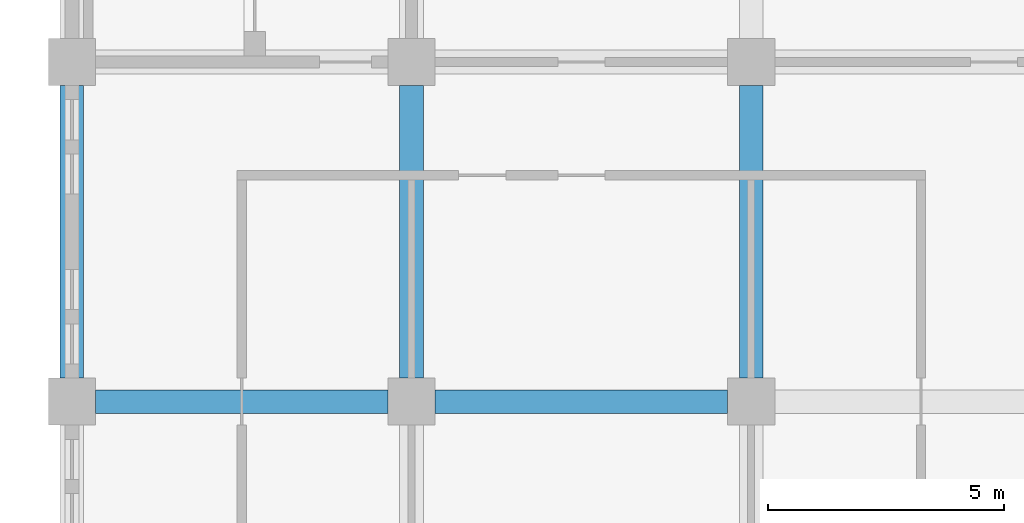
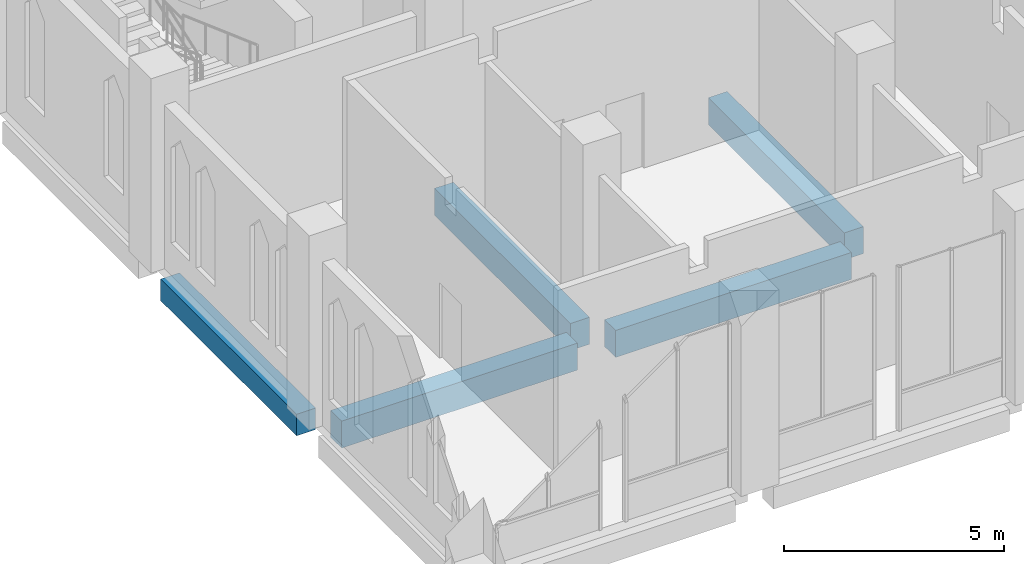
# One storey, part 21 of 83: 5 beams.
"""IFC4 building model written with IfcOpenShell, lengths in metres."""

from ifc_helpers import new_model, si_unit, direction, frame, origin, origin_2d, place, context, subcontext, project, spatial, rectangle, extrude, material, material_profile, profile_set, type_object, element, save


model = new_model("IFC4")

# Units and contexts
model_context = context("Model", 3, precision=1e-05, world=origin(), true_north=direction((0.0, 1.0)))
body_context = subcontext(model_context, "Body", "Model", "MODEL_VIEW")
ifc_project = project(units=[si_unit("LENGTHUNIT", "METRE"), si_unit("AREAUNIT", "SQUARE_METRE"), si_unit("VOLUMEUNIT", "CUBIC_METRE"), si_unit("PLANEANGLEUNIT", "RADIAN"), si_unit("MASSUNIT", "GRAM", prefix="KILO")], contexts=[model_context])

# Site, building, storey
site_placement = place(None, origin())
site = spatial("IfcSite", under=ifc_project, at=site_placement, CompositionType="ELEMENT")
building_placement = place(site_placement, origin())
building = spatial("IfcBuilding", under=site, at=building_placement, Name="Silangan Lancet Faculty of Sciences", CompositionType="ELEMENT")
storey_placement = place(building_placement, frame((0.0, 0.0, 11.39990234375)))
storey = spatial("IfcBuildingStorey", under=building, at=storey_placement, Name="L02", CompositionType="ELEMENT", Elevation=11.39990234375)

# Beams
ifc_material_1 = material(Name="Concrete C40/50", Category="concrete")
ifc_material_profile_1 = material_profile(ifc_material_1, rectangle(XDim=0.5, YDim=0.60009765625, at=origin_2d()), Name="RC 500x600")
ifc_profile_set_1 = profile_set([ifc_material_profile_1], Name="Concrete C40/50")
beam_type_1 = type_object("IfcBeamType", Name="BEAM RC 500x600", PredefinedType="BEAM", material=ifc_profile_set_1)
beam_placement = place(storey_placement, frame((0.0, 43.699951171875, -0.5498046875), z_axis=(0.0, 1.0, 0.0), x_axis=(-1.0, 0.0, 0.0)))
element("IfcBeam", 1, at=beam_placement, inside=storey, type_object=beam_type_1, Name="BM-L02-1G-1H", PredefinedType="BEAM", context=body_context, shape_type="SweptSolid", body=[
    extrude(rectangle(XDim=0.5, YDim=0.60009765625, at=origin_2d()), origin(), (0.0, 0.0, 1.0), 6.199951171875),
])
ifc_material_2 = material(Name="Concrete C40/50", Category="concrete")
ifc_material_profile_2 = material_profile(ifc_material_2, rectangle(XDim=0.5, YDim=0.75, at=origin_2d()), Name="RC 500x750")
ifc_profile_set_2 = profile_set([ifc_material_profile_2], Name="Concrete C40/50")
beam_type_2 = type_object("IfcBeamType", Name="BEAM RC 500x750", PredefinedType="BEAM", material=ifc_profile_set_2)
for number, where, z_axis, x_axis, name in (
    (2, (0.5, 43.199951171875, -0.625), (1.0, 0.0, 0.0), (0.0, 1.0, 0.0), "BM-L02-1G-2G"),
    (3, (7.699951171875, 43.199951171875, -0.625), (1.0, 0.0, 0.0), (0.0, 1.0, 0.0), "BM-L02-2G-3G"),
    (4, (7.199951171875, 43.699951171875, -0.625), (0.0, 1.0, 0.0), (-1.0, 0.0, 0.0), "BM-L02-2G-2H"),
    (5, (14.39990234375, 43.699951171875, -0.625), (0.0, 1.0, 0.0), (-1.0, 0.0, 0.0), "BM-L02-3G-3H"),
):
    element("IfcBeam", number, at=place(storey_placement, frame(where, z_axis=z_axis, x_axis=x_axis)), inside=storey, type_object=beam_type_2, Name=name, PredefinedType="BEAM", context=body_context, shape_type="SweptSolid", body=[
        extrude(rectangle(XDim=0.5, YDim=0.75, at=origin_2d()), origin(), (0.0, 0.0, 1.0), 6.199951171875),
    ])

save(model, "model.ifc")
